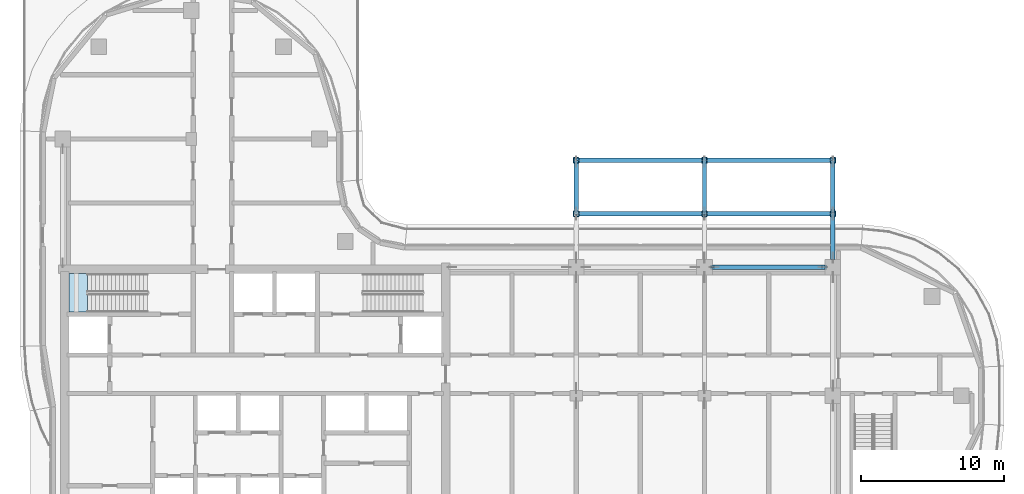
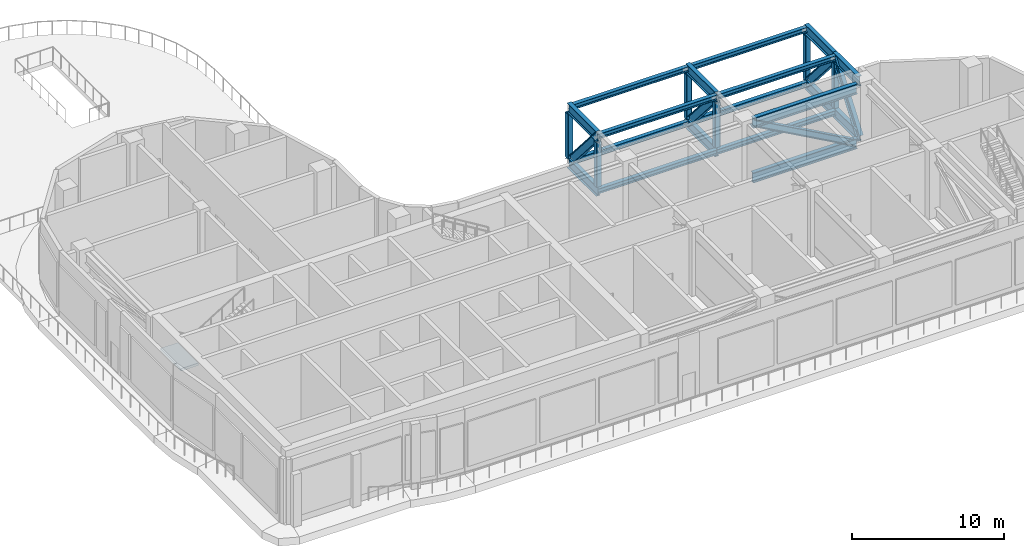
# One storey, part 2 of 18: 29 members, 1 slab, 1 element without a shape of its own.
"""IFC4 building model written with IfcOpenShell, lengths in metres."""

from ifc_helpers import new_model, si_unit, direction, frame, origin, origin_2d, place, context, subcontext, project, spatial, polyline, hollow_rectangle, i_section, outline, extrude, material, layer, layer_set, material_profile, profile_set, type_object, element, aggregate, save


model = new_model("IFC4")

# Units and contexts
model_context = context("Model", 3, precision=1e-05, world=origin(), true_north=direction((0.0, 1.0)))
body_context = subcontext(model_context, "Body", "Model", "MODEL_VIEW")
ifc_project = project(units=[si_unit("LENGTHUNIT", "METRE"), si_unit("AREAUNIT", "SQUARE_METRE"), si_unit("VOLUMEUNIT", "CUBIC_METRE"), si_unit("PLANEANGLEUNIT", "RADIAN"), si_unit("MASSUNIT", "GRAM", prefix="KILO")], contexts=[model_context])

# Site, building, storey
site_placement = place(None, origin())
site = spatial("IfcSite", under=ifc_project, at=site_placement, CompositionType="ELEMENT")
building_placement = place(site_placement, origin())
building = spatial("IfcBuilding", under=site, at=building_placement, Name="Ogive Portal Towers", CompositionType="ELEMENT")
storey_placement = place(building_placement, frame((0.0, 0.0, 190.300048828125)))
storey = spatial("IfcBuildingStorey", under=building, at=storey_placement, Name="L47", CompositionType="ELEMENT", Elevation=190.300048828125)

# Members
ifc_material_1 = material(Name="Steel S355", Category="steel")
ifc_material_profile_1 = material_profile(ifc_material_1, i_section(OverallWidth=0.300048828125, OverallDepth=0.5, WebThickness=0.014404296875, FlangeThickness=0.028076171875, FilletRadius=0.027099609375, at=origin_2d()), Name="HEB 500")
ifc_profile_set_1 = profile_set([ifc_material_profile_1], Name="Steel S355")
member_type_1 = type_object("IfcMemberType", Name="BRACE HEB 500", PredefinedType="BRACE", material=ifc_profile_set_1)
member_1_placement = place(storey_placement, frame((84.949951171875, 39.5, 0.406982421875), z_axis=(-0.874291065023, 0.0, 0.485402032979), x_axis=(0.0, -1.0, 0.0)))
element("IfcMember", 1, at=member_1_placement, inside=storey, type_object=member_type_1, Name="Outrigger diagonal", PredefinedType="BRACE", context=body_context, shape_type="SweptSolid", body=[
    extrude(i_section(OverallWidth=0.300048828125, OverallDepth=0.5, WebThickness=0.014404296875, FlangeThickness=0.028076171875, FilletRadius=0.027099609375, at=origin_2d()), origin(), (0.0, 0.0, 1.0), 9.035888671875),
])
ifc_material_profile_2 = material_profile(ifc_material_1, i_section(OverallWidth=0.300048828125, OverallDepth=0.60009765625, WebThickness=0.015380859375, FlangeThickness=0.030029296875, FilletRadius=0.027099609375, at=origin_2d()), Name="HEB 600")
ifc_profile_set_2 = profile_set([ifc_material_profile_2], Name="Steel S355")
member_type_2 = type_object("IfcMemberType", Name="BRACE HEB 600", PredefinedType="BRACE", material=ifc_profile_set_2)
for number, where, z_axis, x_axis, name in (
    (2, (67.5, 43.199951171875, 4.79296875), (0.0, 0.654818415922, -0.755786241056), (-1.0, 0.0, 0.0), "Sky pool truss diagonal"),
    (3, (76.5, 43.199951171875, 4.79296875), (0.0, 0.654818415922, -0.755786241056), (-1.0, 0.0, 0.0), "Sky pool truss diagonal"),
):
    element("IfcMember", number, at=place(storey_placement, frame(where, z_axis=z_axis, x_axis=x_axis)), inside=storey, type_object=member_type_2, Name=name, PredefinedType="BRACE", context=body_context, shape_type="SweptSolid", body=[
        extrude(i_section(OverallWidth=0.300048828125, OverallDepth=0.60009765625, WebThickness=0.015380859375, FlangeThickness=0.030029296875, FilletRadius=0.027099609375, at=origin_2d()), origin(), (0.0, 0.0, 1.0), 5.80322265625),
    ])
member_2_placement = place(storey_placement, frame((85.5, 40.050048828125, 0.406982421875), z_axis=(0.0, 0.595360168305, 0.803458941076), x_axis=(-1.0, 0.0, 0.0)))
element("IfcMember", 4, at=member_2_placement, inside=storey, type_object=member_type_2, Name="Sky pool truss diagonal", PredefinedType="BRACE", context=body_context, shape_type="SweptSolid", body=[
    extrude(i_section(OverallWidth=0.300048828125, OverallDepth=0.60009765625, WebThickness=0.015380859375, FlangeThickness=0.030029296875, FilletRadius=0.027099609375, at=origin_2d()), origin(), (0.0, 0.0, 1.0), 5.458984375),
])
member_3_placement = place(storey_placement, frame((85.5, 43.199951171875, 4.79296875), z_axis=(0.0, 0.654818415922, -0.755786241056), x_axis=(-1.0, 0.0, 0.0)))
element("IfcMember", 5, at=member_3_placement, inside=storey, type_object=member_type_2, Name="Sky pool truss diagonal", PredefinedType="BRACE", context=body_context, shape_type="SweptSolid", body=[
    extrude(i_section(OverallWidth=0.300048828125, OverallDepth=0.60009765625, WebThickness=0.015380859375, FlangeThickness=0.030029296875, FilletRadius=0.027099609375, at=origin_2d()), origin(), (0.0, 0.0, 1.0), 5.80322265625),
])
ifc_material_profile_3 = material_profile(ifc_material_1, i_section(OverallWidth=0.302978515625, OverallDepth=0.81396484375, WebThickness=0.02099609375, FlangeThickness=0.0400390625, FilletRadius=0.030029296875, at=origin_2d()), Name="HEM 800")
ifc_profile_set_3 = profile_set([ifc_material_profile_3], Name="Steel S355")
member_type_3 = type_object("IfcMemberType", Name="CHORD HEM 800", PredefinedType="CHORD", material=ifc_profile_set_3)
for number, where, z_axis, x_axis, name in (
    (6, (84.949951171875, 39.5, 0.406982421875), (-1.0, 0.0, 0.0), (0.0, -1.0, 0.0), "Outrigger bottom chord"),
    (7, (84.949951171875, 39.5, 4.79296875), (-1.0, 0.0, 0.0), (0.0, -1.0, 0.0), "Outrigger top chord"),
):
    element("IfcMember", number, at=place(storey_placement, frame(where, z_axis=z_axis, x_axis=x_axis)), inside=storey, type_object=member_type_3, Name=name, PredefinedType="CHORD", context=body_context, shape_type="SweptSolid", body=[
        extrude(i_section(OverallWidth=0.302978515625, OverallDepth=0.81396484375, WebThickness=0.02099609375, FlangeThickness=0.0400390625, FilletRadius=0.030029296875, at=origin_2d()), origin(), (0.0, 0.0, 1.0), 7.89990234375),
    ])
for number, where, z_axis, x_axis, name in (
    (8, (67.5, 43.199951171875, 0.406982421875), (0.0, 1.0, 0.0), (-1.0, 0.0, 0.0), "Sky pool truss bottom chord"),
    (9, (67.5, 43.199951171875, 4.79296875), (0.0, 1.0, 0.0), (-1.0, 0.0, 0.0), "Sky pool truss top chord"),
    (10, (76.5, 43.199951171875, 0.406982421875), (0.0, 1.0, 0.0), (-1.0, 0.0, 0.0), "Sky pool truss bottom chord"),
    (11, (76.5, 43.199951171875, 4.79296875), (0.0, 1.0, 0.0), (-1.0, 0.0, 0.0), "Sky pool truss top chord"),
):
    element("IfcMember", number, at=place(storey_placement, frame(where, z_axis=z_axis, x_axis=x_axis)), inside=storey, type_object=member_type_3, Name=name, PredefinedType="CHORD", context=body_context, shape_type="SweptSolid", body=[
        extrude(i_section(OverallWidth=0.302978515625, OverallDepth=0.81396484375, WebThickness=0.02099609375, FlangeThickness=0.0400390625, FilletRadius=0.030029296875, at=origin_2d()), origin(), (0.0, 0.0, 1.0), 3.800048828125),
    ])
for number, where, z_axis, x_axis, name in (
    (12, (85.5, 40.050048828125, 0.406982421875), (0.0, 1.0, 0.0), (-1.0, 0.0, 0.0), "Sky pool truss bottom chord"),
    (13, (85.5, 40.050048828125, 4.79296875), (0.0, 1.0, 0.0), (-1.0, 0.0, 0.0), "Sky pool truss top chord"),
):
    element("IfcMember", number, at=place(storey_placement, frame(where, z_axis=z_axis, x_axis=x_axis)), inside=storey, type_object=member_type_3, Name=name, PredefinedType="CHORD", context=body_context, shape_type="SweptSolid", body=[
        extrude(i_section(OverallWidth=0.302978515625, OverallDepth=0.81396484375, WebThickness=0.02099609375, FlangeThickness=0.0400390625, FilletRadius=0.030029296875, at=origin_2d()), origin(), (0.0, 0.0, 1.0), 3.25),
    ])
for number, where, z_axis, x_axis, name in (
    (14, (85.5, 43.199951171875, 0.406982421875), (0.0, 1.0, 0.0), (-1.0, 0.0, 0.0), "Sky pool truss bottom chord"),
    (15, (85.5, 43.199951171875, 4.79296875), (0.0, 1.0, 0.0), (-1.0, 0.0, 0.0), "Sky pool truss top chord"),
):
    element("IfcMember", number, at=place(storey_placement, frame(where, z_axis=z_axis, x_axis=x_axis)), inside=storey, type_object=member_type_3, Name=name, PredefinedType="CHORD", context=body_context, shape_type="SweptSolid", body=[
        extrude(i_section(OverallWidth=0.302978515625, OverallDepth=0.81396484375, WebThickness=0.02099609375, FlangeThickness=0.0400390625, FilletRadius=0.030029296875, at=origin_2d()), origin(), (0.0, 0.0, 1.0), 3.800048828125),
    ])
ifc_material_profile_4 = material_profile(ifc_material_1, hollow_rectangle(XDim=0.39990234375, YDim=0.39990234375, WallThickness=0.02001953125, InnerFilletRadius=0.030029296875, OuterFilletRadius=0.050048828125, at=origin_2d()), Name="SHS 400x400x20")
ifc_profile_set_4 = profile_set([ifc_material_profile_4], Name="Steel S355")
member_type_4 = type_object("IfcMemberType", Name="POST SHS 400x400x20", PredefinedType="POST", material=ifc_profile_set_4)
for number, where, z_axis, x_axis, name in (
    (16, (67.5, 43.25, 0.81396484375), (0.0, 0.0, 1.0), (1.0, 0.0, 0.0), "Sky pool truss post"),
    (17, (67.5, 47.0, 0.81396484375), (0.0, 0.0, 1.0), (1.0, 0.0, 0.0), "Sky pool truss post"),
    (18, (76.5, 43.25, 0.81396484375), (0.0, 0.0, 1.0), (1.0, 0.0, 0.0), "Sky pool truss post"),
    (19, (76.5, 47.0, 0.81396484375), (0.0, 0.0, 1.0), (1.0, 0.0, 0.0), "Sky pool truss post"),
    (20, (85.5, 43.25, 0.81396484375), (0.0, 0.0, 1.0), (1.0, 0.0, 0.0), "Sky pool truss post"),
    (21, (85.5, 47.0, 0.81396484375), (0.0, 0.0, 1.0), (1.0, 0.0, 0.0), "Sky pool truss post"),
):
    element("IfcMember", number, at=place(storey_placement, frame(where, z_axis=z_axis, x_axis=x_axis)), inside=storey, type_object=member_type_4, Name=name, PredefinedType="POST", context=body_context, shape_type="SweptSolid", body=[
        extrude(hollow_rectangle(XDim=0.39990234375, YDim=0.39990234375, WallThickness=0.02001953125, InnerFilletRadius=0.030029296875, OuterFilletRadius=0.050048828125, at=origin_2d()), origin(), (0.0, 0.0, 1.0), 3.572021484375),
    ])
ifc_material_profile_5 = material_profile(ifc_material_1, i_section(OverallWidth=0.300048828125, OverallDepth=0.39990234375, WebThickness=0.013427734375, FlangeThickness=0.02392578125, FilletRadius=0.027099609375, at=origin_2d()), Name="HEB 400")
ifc_profile_set_5 = profile_set([ifc_material_profile_5], Name="Steel S355")
member_type_5 = type_object("IfcMemberType", Name="TIE HEB 400", PredefinedType="STRUT", material=ifc_profile_set_5)
for number, where, z_axis, x_axis, name in (
    (22, (67.5, 43.25, 0.406982421875), (1.0, 0.0, 0.0), (0.0, 1.0, 0.0), "Sky pool bottom tie"),
    (23, (76.5, 43.25, 0.406982421875), (1.0, 0.0, 0.0), (0.0, 1.0, 0.0), "Sky pool bottom tie"),
    (24, (67.5, 43.25, 4.79296875), (1.0, 0.0, 0.0), (0.0, 1.0, 0.0), "Sky pool top tie"),
    (25, (76.5, 43.25, 4.79296875), (1.0, 0.0, 0.0), (0.0, 1.0, 0.0), "Sky pool top tie"),
    (26, (67.5, 47.0, 0.406982421875), (1.0, 0.0, 0.0), (0.0, 1.0, 0.0), "Sky pool bottom tie"),
    (27, (76.5, 47.0, 0.406982421875), (1.0, 0.0, 0.0), (0.0, 1.0, 0.0), "Sky pool bottom tie"),
    (28, (67.5, 47.0, 4.79296875), (1.0, 0.0, 0.0), (0.0, 1.0, 0.0), "Sky pool top tie"),
    (29, (76.5, 47.0, 4.79296875), (1.0, 0.0, 0.0), (0.0, 1.0, 0.0), "Sky pool top tie"),
):
    element("IfcMember", number, at=place(storey_placement, frame(where, z_axis=z_axis, x_axis=x_axis)), inside=storey, type_object=member_type_5, Name=name, PredefinedType="STRUT", context=body_context, shape_type="SweptSolid", body=[
        extrude(i_section(OverallWidth=0.300048828125, OverallDepth=0.39990234375, WebThickness=0.013427734375, FlangeThickness=0.02392578125, FilletRadius=0.027099609375, at=origin_2d()), origin(), (0.0, 0.0, 1.0), 9.0),
    ])

# Stair, slab
ifc_material_2 = material(Name="Concrete C40/50", Category="concrete")
stair_type = type_object("IfcStairType", Name="INT-STAIR", PredefinedType="HALF_TURN_STAIR", material=ifc_material_2)
stair_placement = place(storey_placement, origin())
stair = element("IfcStair", 30, at=stair_placement, inside=storey, type_object=stair_type, Name="L47 Exit Stair ST-A1", PredefinedType="HALF_TURN_STAIR")
ifc_layer = layer(ifc_material_2, 0.199951171875)
ifc_layer_set = layer_set([ifc_layer], Name="INT-LANDING")
slab_type = type_object("IfcSlabType", Name="INT-LANDING", PredefinedType="LANDING", material=ifc_layer_set)
slab_placement = place(storey_placement, frame((0.0, 0.0, 2.550048828125)))
slab = element("IfcSlab", 31, at=slab_placement, type_object=slab_type, Name="ST-A1 landing 1", PredefinedType="LANDING", context=body_context, shape_type="SweptSolid", body=[
    extrude(outline(polyline([(33.25, 39.050048828125), (31.949951171875, 39.050048828125), (31.949951171875, 36.35009765625), (33.25, 36.35009765625), (33.25, 39.050048828125)])), origin(), (0.0, 0.0, 1.0), 0.199951171875),
])
aggregate(stair, [slab])

save(model, "model.ifc")
